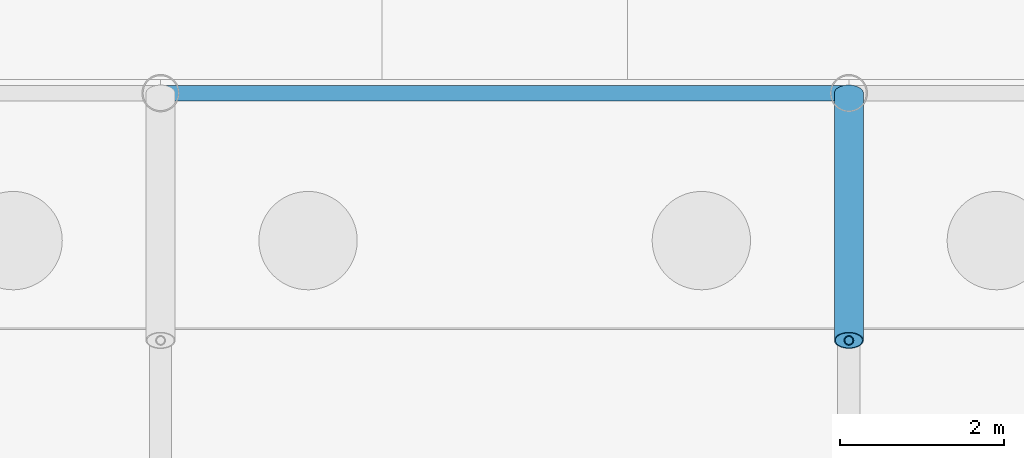
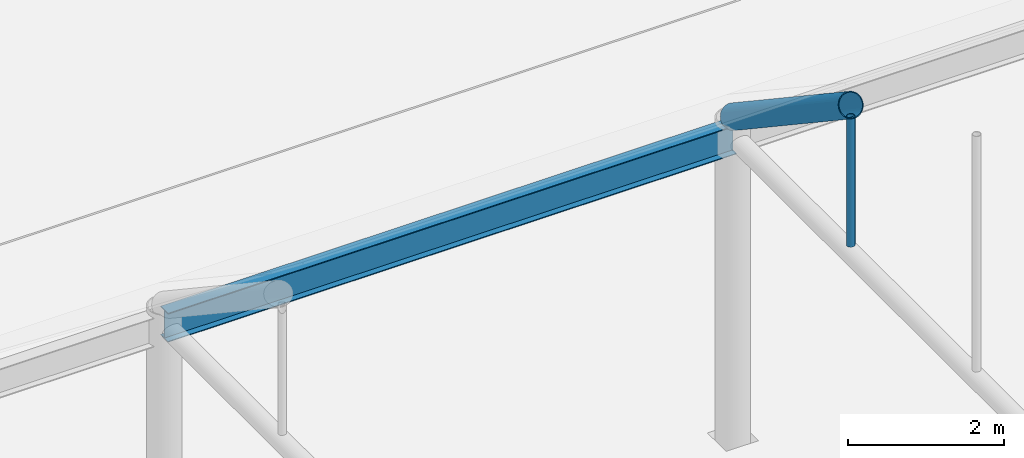
# One storey, part 59 of 212: 2 members, 1 beam.
"""IFC4 building model written with IfcOpenShell, lengths in metres."""

from ifc_helpers import new_model, si_unit, direction, frame, origin, origin_2d, place, context, subcontext, project, spatial, hollow_circle, i_section, extrude, material, material_profile, profile_set, type_object, element, save


model = new_model("IFC4")

# Units and contexts
model_context = context("Model", 3, precision=1e-05, world=origin(), true_north=direction((0.0, 1.0)))
body_context = subcontext(model_context, "Body", "Model", "MODEL_VIEW")
ifc_project = project(units=[si_unit("LENGTHUNIT", "METRE"), si_unit("AREAUNIT", "SQUARE_METRE"), si_unit("VOLUMEUNIT", "CUBIC_METRE"), si_unit("PLANEANGLEUNIT", "RADIAN"), si_unit("MASSUNIT", "GRAM", prefix="KILO")], contexts=[model_context])

# Site, building, storey
site_placement = place(None, origin())
site = spatial("IfcSite", under=ifc_project, at=site_placement, CompositionType="ELEMENT")
building_placement = place(site_placement, origin())
building = spatial("IfcBuilding", under=site, at=building_placement, Name="Catenary Quay Ferry Terminal", CompositionType="ELEMENT")
storey_placement = place(building_placement, origin())
storey = spatial("IfcBuildingStorey", under=building, at=storey_placement, Name="L00", CompositionType="ELEMENT", Elevation=0.0)

# Beam
ifc_material_1 = material(Name="Steel S355", Category="steel")
ifc_material_profile_1 = material_profile(ifc_material_1, i_section(OverallWidth=0.18994140625, OverallDepth=0.453369140625, WebThickness=0.008544921875, FlangeThickness=0.0126953125, at=origin_2d()), Name="UB 457x191x67")
ifc_profile_set_1 = profile_set([ifc_material_profile_1], Name="Steel S355")
beam_type = type_object("IfcBeamType", Name="B1 UB 457x191x67", PredefinedType="BEAM", material=ifc_profile_set_1)
beam_placement = place(storey_placement, frame((50.39990234375, 50.39990234375, 4.699951171875), z_axis=(1.0, 0.0, 0.0), x_axis=(0.0, 1.0, 0.0)))
element("IfcBeam", 1, at=beam_placement, inside=storey, type_object=beam_type, Name="Eaves beam B-CA7-5", PredefinedType="BEAM", context=body_context, shape_type="SweptSolid", body=[
    extrude(i_section(OverallWidth=0.18994140625, OverallDepth=0.453369140625, WebThickness=0.008544921875, FlangeThickness=0.0126953125, at=origin_2d()), origin(), (0.0, 0.0, 1.0), 8.400146484375),
])

# Members
ifc_material_2 = material(Name="Steel S355", Category="steel")
ifc_material_profile_2 = material_profile(ifc_material_2, hollow_circle(Radius=0.05712890625, WallThickness=0.00634765625, at=origin_2d()), Name="CHS 114.3x6.3")
ifc_profile_set_2 = profile_set([ifc_material_profile_2], Name="Steel S355")
member_type_1 = type_object("IfcMemberType", Name="HG1 CHS 114.3x6.3", PredefinedType="POST", material=ifc_profile_set_2)
member_1_placement = place(storey_placement, frame((58.800048828125, 47.382080078125, 4.830078125), z_axis=(0.0, 0.0, 1.0), x_axis=(1.0, 0.0, 0.0)))
element("IfcMember", 2, at=member_1_placement, inside=storey, type_object=member_type_1, Name="Hanger CA-06-09", PredefinedType="POST", context=body_context, shape_type="SweptSolid", body=[
    extrude(hollow_circle(Radius=0.05712890625, WallThickness=0.00634765625, at=origin_2d()), origin(), (0.0, 0.0, 1.0), 2.010986328125),
])
ifc_material_3 = material(Name="Steel S355", Category="steel")
ifc_material_profile_3 = material_profile(ifc_material_3, hollow_circle(Radius=0.177734375, WallThickness=0.012451171875, at=origin_2d()), Name="CHS 355.6x12.5")
ifc_profile_set_3 = profile_set([ifc_material_profile_3], Name="Steel S355")
member_type_2 = type_object("IfcMemberType", Name="VR1 CHS 355.6x12.5", PredefinedType="RAFTER", material=ifc_profile_set_3)
member_2_placement = place(storey_placement, frame((58.800048828125, 47.382080078125, 7.012939453125), z_axis=(0.0, 0.831915666545, -0.554902084837), x_axis=(-1.0, 0.0, 0.0)))
element("IfcMember", 3, at=member_2_placement, inside=storey, type_object=member_type_2, Name="rib CA-06-10", PredefinedType="RAFTER", context=body_context, shape_type="SweptSolid", body=[
    extrude(hollow_circle(Radius=0.177734375, WallThickness=0.012451171875, at=origin_2d()), origin(), (0.0, 0.0, 1.0), 3.62744140625),
])

save(model, "model.ifc")
